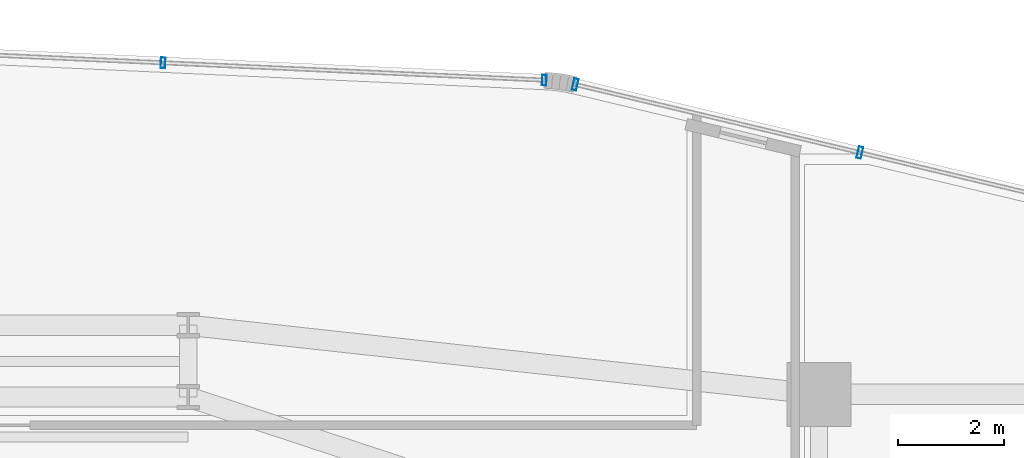
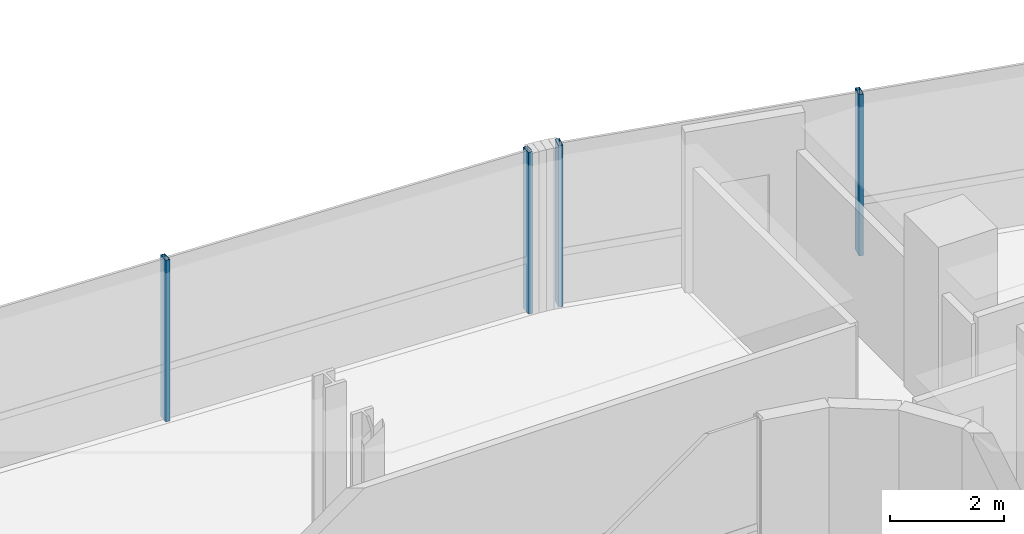
# One storey, part 23 of 35: 4 members, 2 elements without a shape of their own.
"""IFC4 building model written with IfcOpenShell, lengths in metres."""

from ifc_helpers import new_model, si_unit, direction, frame, origin, origin_2d, place, context, subcontext, project, spatial, hollow_rectangle, extrude, source, transform, mapped, material, material_profile, profile_set, type_object, element, aggregate, save


model = new_model("IFC4")

# Units and contexts
model_context = context("Model", 3, precision=1e-05, world=origin(), true_north=direction((0.0, 1.0)))
body_context = subcontext(model_context, "Body", "Model", "MODEL_VIEW")
ifc_project = project(units=[si_unit("LENGTHUNIT", "METRE"), si_unit("AREAUNIT", "SQUARE_METRE"), si_unit("VOLUMEUNIT", "CUBIC_METRE"), si_unit("PLANEANGLEUNIT", "RADIAN"), si_unit("MASSUNIT", "GRAM", prefix="KILO")], contexts=[model_context])

# Site, building, storey
site_placement = place(None, origin())
site = spatial("IfcSite", under=ifc_project, at=site_placement, CompositionType="ELEMENT")
building_placement = place(site_placement, origin())
building = spatial("IfcBuilding", under=site, at=building_placement, Name="Valdorenza Pilgrim Sanctuary Tower", CompositionType="ELEMENT")
storey_placement = place(building_placement, frame((0.0, 0.0, 124.199951171875)))
storey = spatial("IfcBuildingStorey", under=building, at=storey_placement, Name="L31", CompositionType="ELEMENT", Elevation=124.199951171875)

# Curtain wall, members
ifc_material_1 = material(Name="Curtain-wall IGU glazing", Category="glass")
curtain_wall_type_1 = type_object("IfcCurtainWallType", Name="CW-SYS-02", PredefinedType="NOTDEFINED", material=ifc_material_1)
curtain_wall_1_placement = place(storey_placement, origin())
curtain_wall_1 = element("IfcCurtainWall", 1, at=curtain_wall_1_placement, inside=storey, type_object=curtain_wall_type_1, Name="L31 Curtain Wall CW-L31-1-11", PredefinedType="NOTDEFINED")
ifc_material_2 = material(Name="Anodised aluminium AW-6060", Category="aluminium")
ifc_material_profile_1 = material_profile(ifc_material_2, hollow_rectangle(XDim=0.0849609375, YDim=0.199951171875, WallThickness=0.0048828125, at=origin_2d()), Name="ALU-M 200x85x5")
ifc_profile_set_1 = profile_set([ifc_material_profile_1], Name="Anodised aluminium AW-6060")
member_type_1 = type_object("IfcMemberType", Name="CW-MUL-02", PredefinedType="MULLION", material=ifc_profile_set_1)
shared_shape_1 = source(origin(), body_context, "Body", "SweptSolid", [
    extrude(hollow_rectangle(XDim=0.0849609375, YDim=0.199951171875, WallThickness=0.0048828125, at=origin_2d()), origin(), (0.0, 0.0, 1.0), 3.4599609375),
])
member_1_placement = place(storey_placement, frame((3.528076171875, 19.7294921875, 0.0), z_axis=(0.0, 0.0, 1.0), x_axis=(0.998968193221, -0.045415294044, 0.0)))
member_1 = element("IfcMember", 2, at=member_1_placement, type_object=member_type_1, Name="CW-L31-1-11 Mullion 3", PredefinedType="MULLION", context=body_context, shape_type="MappedRepresentation", body=[
    mapped(shared_shape_1, transform((0.0, 0.0, 0.0), x_axis=(1.0, 0.0, 0.0), y_axis=(0.0, 1.0, 0.0), z_axis=(0.0, 0.0, 1.0), scale=1.0)),
])
member_2_placement = place(storey_placement, frame((10.68994140625, 19.404052734375, 0.0), z_axis=(0.0, 0.0, 1.0), x_axis=(0.998968193221, -0.045415294044, 0.0)))
member_2 = element("IfcMember", 3, at=member_2_placement, type_object=member_type_1, Name="CW-L31-1-11 Mullion 4", PredefinedType="MULLION", context=body_context, shape_type="MappedRepresentation", body=[
    mapped(shared_shape_1, transform((0.0, 0.0, 0.0), x_axis=(1.0, 0.0, 0.0), y_axis=(0.0, 1.0, 0.0), z_axis=(0.0, 0.0, 1.0), scale=1.0)),
])
aggregate(curtain_wall_1, [member_1, member_2])

curtain_wall_type_2 = type_object("IfcCurtainWallType", Name="CW-SYS-03", PredefinedType="NOTDEFINED", material=ifc_material_1)
curtain_wall_2_placement = place(storey_placement, origin())
curtain_wall_2 = element("IfcCurtainWall", 4, at=curtain_wall_2_placement, inside=storey, type_object=curtain_wall_type_2, Name="L31 Curtain Wall CW-L31-1-16", PredefinedType="NOTDEFINED")
ifc_material_profile_2 = material_profile(ifc_material_2, hollow_rectangle(XDim=0.0849609375, YDim=0.219970703125, WallThickness=0.0048828125, at=origin_2d()), Name="ALU-M 220x85x5")
ifc_profile_set_2 = profile_set([ifc_material_profile_2], Name="Anodised aluminium AW-6060")
member_type_2 = type_object("IfcMemberType", Name="CW-MUL-03", PredefinedType="MULLION", material=ifc_profile_set_2)
shared_shape_2 = source(origin(), body_context, "Body", "SweptSolid", [
    extrude(hollow_rectangle(XDim=0.0849609375, YDim=0.219970703125, WallThickness=0.0048828125, at=origin_2d()), origin(), (0.0, 0.0, 1.0), 3.4599609375),
])
member_3_placement = place(storey_placement, frame((11.271484375, 19.322021484375, 0.0), z_axis=(0.0, 0.0, 1.0), x_axis=(0.972528596343, -0.232783438617, 0.0)))
member_3 = element("IfcMember", 5, at=member_3_placement, type_object=member_type_2, Name="CW-L31-1-16 Mullion 1", PredefinedType="MULLION", context=body_context, shape_type="MappedRepresentation", body=[
    mapped(shared_shape_2, transform((0.0, 0.0, 0.0), x_axis=(1.0, 0.0, 0.0), y_axis=(0.0, 1.0, 0.0), z_axis=(0.0, 0.0, 1.0), scale=1.0)),
])
member_4_placement = place(storey_placement, frame((16.617919921875, 18.042236328125, 0.0), z_axis=(0.0, 0.0, 1.0), x_axis=(0.972528596343, -0.232783438617, 0.0)))
member_4 = element("IfcMember", 6, at=member_4_placement, type_object=member_type_2, Name="CW-L31-1-16 Mullion 2", PredefinedType="MULLION", context=body_context, shape_type="MappedRepresentation", body=[
    mapped(shared_shape_2, transform((0.0, 0.0, 0.0), x_axis=(1.0, 0.0, 0.0), y_axis=(0.0, 1.0, 0.0), z_axis=(0.0, 0.0, 1.0), scale=1.0)),
])
aggregate(curtain_wall_2, [member_3, member_4])

save(model, "model.ifc")
